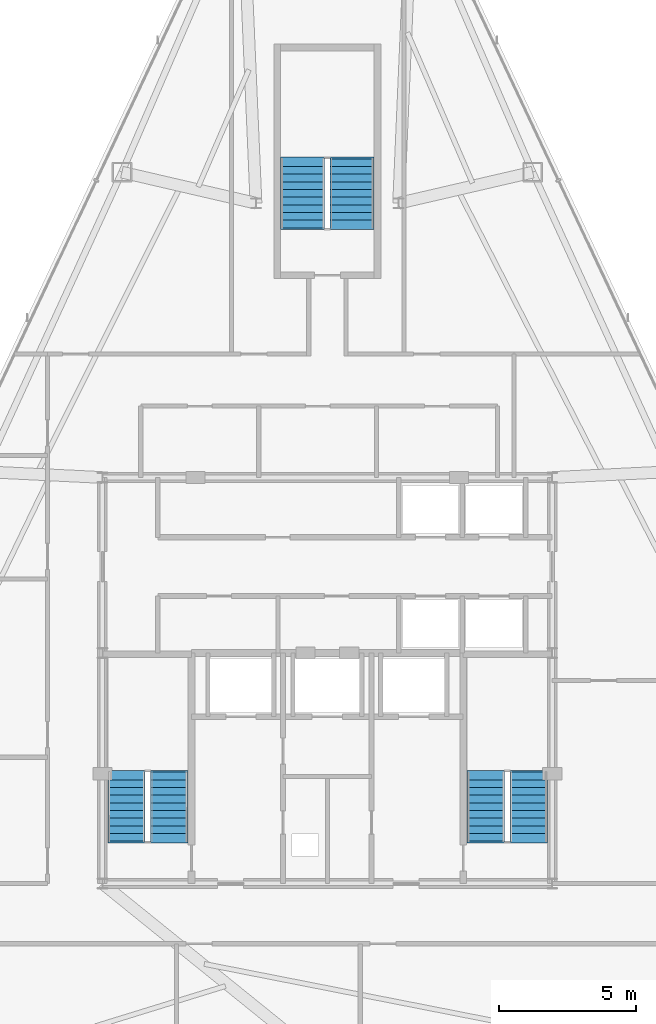
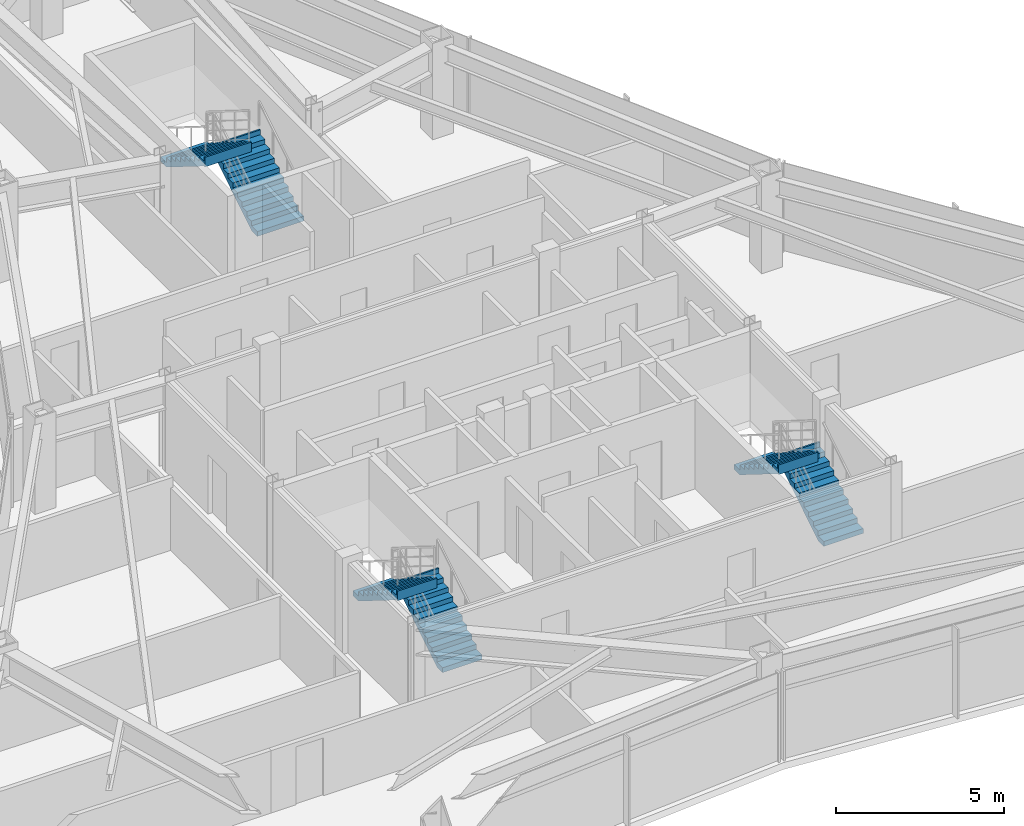
# One storey, part 11 of 12: 6 stair flights, 3 elements without a shape of their own.
"""IFC4 building model written with IfcOpenShell, lengths in metres."""

import ifcopenshell
import ifcopenshell.guid

model = None  # the IFC model being written
_history = None  # IfcOwnerHistory: only IFC2X3 demands one
_inside = {}  # id of a spatial element -> (the spatial element, [elements in it])
_under = {}  # id of a project, library or spatial element -> (it, [spatial elements below it])
_declared = {}  # id of a project -> (the project, [libraries it declares])
_typed = {}  # id of a type object -> (the type object, [elements of that type])
_made_of = {}  # id of a material, layer set ... -> (it, [elements and type objects made of it])


def new_model(schema):
    """Start an empty IFC model of exactly this schema.

    Asked for "IFC4X3", IfcOpenShell would pick the latest addendum, in which some entities
    have other attributes; the version numbers below select the first issue.
    IFC2X3 requires an IfcOwnerHistory on every rooted entity: one is made here for all.
    """
    global model, _history
    if schema == "IFC4X3":
        model = ifcopenshell.file(schema_version=(4, 3, 0, 0))
    else:
        model = ifcopenshell.file(schema=schema)
    _inside.clear()
    _under.clear()
    _declared.clear()
    _typed.clear()
    _made_of.clear()
    _history = None
    if model.schema == "IFC2X3":
        org = make("IfcOrganization", Name="unknown")
        user = make(
            "IfcPersonAndOrganization",
            ThePerson=make("IfcPerson", FamilyName="unknown"),
            TheOrganization=org,
        )
        app = make(
            "IfcApplication",
            ApplicationDeveloper=org,
            Version="unknown",
            ApplicationFullName="unknown",
            ApplicationIdentifier="unknown",
        )
        _history = make(
            "IfcOwnerHistory",
            OwningUser=user,
            OwningApplication=app,
            ChangeAction="ADDED",
            CreationDate=0,
        )
    return model


def make(cls, **values):
    """One entity of the class cls with the attributes given. An attribute that is None is left unset."""
    return model.create_entity(
        cls, **{name: value for name, value in values.items() if value is not None}
    )


def rooted(cls, **values):
    """An entity with a GlobalId (a new one), such as an element, a storey or a relation."""
    return make(cls, GlobalId=ifcopenshell.guid.new(), OwnerHistory=_history, **values)


def si_unit(unit_type, name, prefix=None):
    """IfcSIUnit, for example si_unit("LENGTHUNIT", "METRE", prefix="MILLI")."""
    return make("IfcSIUnit", UnitType=unit_type, Prefix=prefix, Name=name)


def assignment(units):
    """IfcUnitAssignment: the units of a project."""
    return None if units is None else make("IfcUnitAssignment", Units=units)


def point(xyz):
    """IfcCartesianPoint."""
    return None if xyz is None else make("IfcCartesianPoint", Coordinates=xyz)


def direction(xyz):
    """IfcDirection."""
    return None if xyz is None else make("IfcDirection", DirectionRatios=xyz)


def frame(location, z_axis=None, x_axis=None):
    """IfcAxis2Placement3D, a coordinate frame: its origin and axes. An axis left out is left unset."""
    return make(
        "IfcAxis2Placement3D",
        Location=point(location),
        Axis=direction(z_axis),
        RefDirection=direction(x_axis),
    )


def origin():
    """The frame at (0, 0, 0) with its axes left unset."""
    return frame((0.0, 0.0, 0.0))


def place(relative_to, where):
    """IfcLocalPlacement: puts the frame where relative to a parent placement (None: the world)."""
    return make(
        "IfcLocalPlacement", PlacementRelTo=relative_to, RelativePlacement=where
    )


def context(
    kind, dimensions, precision=None, world=None, true_north=None, identifier=None
):
    """IfcGeometricRepresentationContext, for example the 3D "Model" context."""
    return make(
        "IfcGeometricRepresentationContext",
        ContextIdentifier=identifier,
        ContextType=kind,
        CoordinateSpaceDimension=dimensions,
        Precision=precision,
        WorldCoordinateSystem=world,
        TrueNorth=true_north,
    )


def subcontext(parent, identifier, kind, view, scale=None):
    """IfcGeometricRepresentationSubContext, for example "Body" below "Model"."""
    return make(
        "IfcGeometricRepresentationSubContext",
        ContextIdentifier=identifier,
        ContextType=kind,
        ParentContext=parent,
        TargetScale=scale,
        TargetView=view,
    )


def project(units=None, contexts=None):
    """IfcProject with its units and contexts."""
    return rooted(
        "IfcProject",
        Name="project",
        RepresentationContexts=contexts,
        UnitsInContext=assignment(units),
    )


def spatial(cls, under=None, at=None, **own):
    """A site, building, storey or space (cls), placed at a placement, below another one or the project."""
    s = rooted(cls, ObjectPlacement=at, **own)
    if under is not None:
        _under.setdefault(under.id(), (under, []))[1].append(s)
    return s


def polyline(points):
    """IfcPolyline through the points."""
    return make("IfcPolyline", Points=[point(p) for p in points])


def outline(outer, holes=None, kind="AREA"):
    """IfcArbitraryClosedProfileDef: a profile drawn as a closed curve; with holes, ...WithVoids."""
    if holes is None:
        return make("IfcArbitraryClosedProfileDef", ProfileType=kind, OuterCurve=outer)
    return make(
        "IfcArbitraryProfileDefWithVoids",
        ProfileType=kind,
        OuterCurve=outer,
        InnerCurves=holes,
    )


def extrude(swept, where, along, depth):
    """IfcExtrudedAreaSolid: the profile swept, set in the frame where, extruded along a direction by depth."""
    return make(
        "IfcExtrudedAreaSolid",
        SweptArea=swept,
        Position=where,
        ExtrudedDirection=direction(along),
        Depth=depth,
    )


def shape(context_of_items, identifier, shape_type, items):
    """IfcShapeRepresentation: the items that make up one representation, for example the "Body"."""
    return make(
        "IfcShapeRepresentation",
        ContextOfItems=context_of_items,
        RepresentationIdentifier=identifier,
        RepresentationType=shape_type,
        Items=items,
    )


def material(Name=None, Category=None):
    """IfcMaterial."""
    return make("IfcMaterial", Name=Name, Category=Category)


def made_of(thing, what):
    """Note that an element or type object is made of a material, layer set ...; save() writes the relation."""
    if what is not None:
        _made_of.setdefault(what.id(), (what, []))[1].append(thing)
    return thing


def type_object(cls, material=None, **own):
    """A type object (cls), such as IfcWallType, which elements share."""
    return made_of(rooted(cls, **own), material)


def element(
    cls,
    number,
    at=None,
    inside=None,
    cuts=None,
    type_object=None,
    material=None,
    context=None,
    identifier="Body",
    shape_type=None,
    held_by="IfcProductDefinitionShape",
    body=None,
    shapes=None,
    **own,
):
    """One element of the class cls, such as IfcWall. Its Tag is "e" and its number.

    at: its placement. inside: the storey or other place that contains it. cuts: it is an
    opening in that element (IfcRelVoidsElement). A single representation is given by context,
    identifier, shape_type and body (its items); several are given by shapes. held_by: the class
    of the entity that holds the representations. save() writes the other relations.
    """
    e = rooted(cls, Tag="e%d" % number, ObjectPlacement=at, **own)
    if body is not None:
        shapes = [shape(context, identifier, shape_type, body)]
    if shapes is not None:
        e.Representation = make(held_by, Representations=shapes)
    if inside is not None:
        _inside.setdefault(inside.id(), (inside, []))[1].append(e)
    if cuts is not None:
        rooted(
            "IfcRelVoidsElement", RelatingBuildingElement=cuts, RelatedOpeningElement=e
        )
    if type_object is not None:
        _typed.setdefault(type_object.id(), (type_object, []))[1].append(e)
    return made_of(e, material)


def aggregate(whole, parts):
    """IfcRelAggregates: a whole, such as a stair, and the parts it consists of."""
    return rooted("IfcRelAggregates", RelatingObject=whole, RelatedObjects=parts)


def save(model, path):
    """Write the relations noted so far, then the file.

    IfcRelAggregates (storeys below a building ...), IfcRelContainedInSpatialStructure (elements
    in a storey), IfcRelDefinesByType, IfcRelAssociatesMaterial and IfcRelDeclares: one each for
    every whole, place, type object, material and project.
    """
    for whole, parts in _under.values():
        aggregate(whole, parts)
    for where, things in _inside.values():
        rooted(
            "IfcRelContainedInSpatialStructure",
            RelatedElements=things,
            RelatingStructure=where,
        )
    for kind, things in _typed.values():
        rooted("IfcRelDefinesByType", RelatedObjects=things, RelatingType=kind)
    for what, things in _made_of.values():
        rooted("IfcRelAssociatesMaterial", RelatedObjects=things, RelatingMaterial=what)
    for by, libraries in _declared.values():
        rooted("IfcRelDeclares", RelatingContext=by, RelatedDefinitions=libraries)
    model.write(path)


model = new_model("IFC4")

# Units and contexts
model_context = context("Model", 3, precision=1e-05, world=origin(), true_north=direction((0.0, 1.0)))
body_context = subcontext(model_context, "Body", "Model", "MODEL_VIEW")
ifc_project = project(units=[si_unit("LENGTHUNIT", "METRE"), si_unit("AREAUNIT", "SQUARE_METRE"), si_unit("VOLUMEUNIT", "CUBIC_METRE"), si_unit("PLANEANGLEUNIT", "RADIAN"), si_unit("MASSUNIT", "GRAM", prefix="KILO")], contexts=[model_context])

# Site, building, storey
site_placement = place(None, origin())
site = spatial("IfcSite", under=ifc_project, at=site_placement, CompositionType="ELEMENT")
building_placement = place(site_placement, origin())
building = spatial("IfcBuilding", under=site, at=building_placement, Name="Varakhsha Concourse Tower", CompositionType="ELEMENT")
storey_placement = place(building_placement, frame((0.0, 0.0, 232.89990234375)))
storey = spatial("IfcBuildingStorey", under=building, at=storey_placement, Name="L66", CompositionType="ELEMENT", Elevation=232.89990234375)

# Stair, stair flights
ifc_material = material(Name="Concrete fc 45 MPa", Category="concrete")
stair_type_1 = type_object("IfcStairType", Name="ST-DOGLEG-1360", PredefinedType="HALF_TURN_STAIR", material=ifc_material)
stair_1_placement = place(storey_placement, origin())
stair_1 = element("IfcStair", 1, at=stair_1_placement, inside=storey, type_object=stair_type_1, Name="L66 Protected Exit Stair ST1", PredefinedType="HALF_TURN_STAIR")
stair_flight_type_1 = type_object("IfcStairFlightType", Name="STF-1360-R1750", PredefinedType="STRAIGHT", material=ifc_material)
stair_flight_1_placement = place(storey_placement, frame((34.239990234375, 17.93994140625, 0.0), z_axis=(0.0, 0.0, 1.0), x_axis=(0.0, 1.0, 0.0)))
stair_flight_1 = element("IfcStairFlight", 2, at=stair_flight_1_placement, type_object=stair_flight_type_1, Name="ST1 flight 1", NumberOfRisers=10, NumberOfTreads=9, PredefinedType="STRAIGHT", RiserHeight=0.175, TreadLength=0.28, context=body_context, shape_type="SweptSolid", body=[
    extrude(outline(polyline([(-0.06005859375, 0.0), (-0.06005859375, 0.175048828125), (0.0, 0.175048828125), (0.280029296875, 0.175048828125), (0.280029296875, 0.35009765625), (0.56005859375, 0.35009765625), (0.56005859375, 0.52490234375), (0.840087890625, 0.52490234375), (0.840087890625, 0.699951171875), (1.1201171875, 0.699951171875), (1.1201171875, 0.875), (1.39990234375, 0.875), (1.39990234375, 1.050048828125), (1.679931640625, 1.050048828125), (1.679931640625, 1.22509765625), (1.9599609375, 1.22509765625), (1.9599609375, 1.39990234375), (2.239990234375, 1.39990234375), (2.239990234375, 1.574951171875), (2.52001953125, 1.574951171875), (2.52001953125, 1.75), (2.580078125, 1.75), (2.580078125, 1.398193359375), (2.52001953125, 1.398193359375), (0.28271484375, 0.0), (-0.06005859375, 0.0)])), frame((0.0, 0.68017578125, 0.0), z_axis=(0.0, -1.0, 0.0), x_axis=(1.0, 0.0, 0.0)), (0.0, 0.0, 1.0), 1.360107421875),
])
stair_flight_2_placement = place(storey_placement, frame((32.679931640625, 20.4599609375, 1.75), z_axis=(0.0, 0.0, 1.0), x_axis=(0.0, -1.0, 0.0)))
stair_flight_2 = element("IfcStairFlight", 3, at=stair_flight_2_placement, type_object=stair_flight_type_1, Name="ST1 flight 2", NumberOfRisers=10, NumberOfTreads=9, PredefinedType="STRAIGHT", RiserHeight=0.175, TreadLength=0.28, context=body_context, shape_type="SweptSolid", body=[
    extrude(outline(polyline([(-0.06005859375, 0.0), (-0.06005859375, 0.175048828125), (0.0, 0.175048828125), (0.280029296875, 0.175048828125), (0.280029296875, 0.35009765625), (0.56005859375, 0.35009765625), (0.56005859375, 0.52490234375), (0.840087890625, 0.52490234375), (0.840087890625, 0.699951171875), (1.1201171875, 0.699951171875), (1.1201171875, 0.875), (1.39990234375, 0.875), (1.39990234375, 1.050048828125), (1.679931640625, 1.050048828125), (1.679931640625, 1.22509765625), (1.9599609375, 1.22509765625), (1.9599609375, 1.39990234375), (2.239990234375, 1.39990234375), (2.239990234375, 1.574951171875), (2.52001953125, 1.574951171875), (2.52001953125, 1.75), (2.580078125, 1.75), (2.580078125, 1.398193359375), (2.52001953125, 1.398193359375), (0.28271484375, 0.0), (-0.06005859375, 0.0)])), frame((0.0, 0.68017578125, 0.0), z_axis=(0.0, -1.0, 0.0), x_axis=(1.0, 0.0, 0.0)), (0.0, 0.0, 1.0), 1.360107421875),
])
aggregate(stair_1, [stair_flight_1, stair_flight_2])

stair_2_placement = place(storey_placement, origin())
stair_2 = element("IfcStair", 4, at=stair_2_placement, inside=storey, type_object=stair_type_1, Name="L66 Protected Exit Stair ST2", PredefinedType="HALF_TURN_STAIR")
stair_flight_3_placement = place(storey_placement, frame((47.340087890625, 17.93994140625, 0.0), z_axis=(0.0, 0.0, 1.0), x_axis=(0.0, 1.0, 0.0)))
stair_flight_3 = element("IfcStairFlight", 5, at=stair_flight_3_placement, type_object=stair_flight_type_1, Name="ST2 flight 1", NumberOfRisers=10, NumberOfTreads=9, PredefinedType="STRAIGHT", RiserHeight=0.175, TreadLength=0.28, context=body_context, shape_type="SweptSolid", body=[
    extrude(outline(polyline([(-0.06005859375, 0.0), (-0.06005859375, 0.175048828125), (0.0, 0.175048828125), (0.280029296875, 0.175048828125), (0.280029296875, 0.35009765625), (0.56005859375, 0.35009765625), (0.56005859375, 0.52490234375), (0.840087890625, 0.52490234375), (0.840087890625, 0.699951171875), (1.1201171875, 0.699951171875), (1.1201171875, 0.875), (1.39990234375, 0.875), (1.39990234375, 1.050048828125), (1.679931640625, 1.050048828125), (1.679931640625, 1.22509765625), (1.9599609375, 1.22509765625), (1.9599609375, 1.39990234375), (2.239990234375, 1.39990234375), (2.239990234375, 1.574951171875), (2.52001953125, 1.574951171875), (2.52001953125, 1.75), (2.580078125, 1.75), (2.580078125, 1.398193359375), (2.52001953125, 1.398193359375), (0.28271484375, 0.0), (-0.06005859375, 0.0)])), frame((0.0, 0.68017578125, 0.0), z_axis=(0.0, -1.0, 0.0), x_axis=(1.0, 0.0, 0.0)), (0.0, 0.0, 1.0), 1.360107421875),
])
stair_flight_4_placement = place(storey_placement, frame((45.780029296875, 20.4599609375, 1.75), z_axis=(0.0, 0.0, 1.0), x_axis=(0.0, -1.0, 0.0)))
stair_flight_4 = element("IfcStairFlight", 6, at=stair_flight_4_placement, type_object=stair_flight_type_1, Name="ST2 flight 2", NumberOfRisers=10, NumberOfTreads=9, PredefinedType="STRAIGHT", RiserHeight=0.175, TreadLength=0.28, context=body_context, shape_type="SweptSolid", body=[
    extrude(outline(polyline([(-0.06005859375, 0.0), (-0.06005859375, 0.175048828125), (0.0, 0.175048828125), (0.280029296875, 0.175048828125), (0.280029296875, 0.35009765625), (0.56005859375, 0.35009765625), (0.56005859375, 0.52490234375), (0.840087890625, 0.52490234375), (0.840087890625, 0.699951171875), (1.1201171875, 0.699951171875), (1.1201171875, 0.875), (1.39990234375, 0.875), (1.39990234375, 1.050048828125), (1.679931640625, 1.050048828125), (1.679931640625, 1.22509765625), (1.9599609375, 1.22509765625), (1.9599609375, 1.39990234375), (2.239990234375, 1.39990234375), (2.239990234375, 1.574951171875), (2.52001953125, 1.574951171875), (2.52001953125, 1.75), (2.580078125, 1.75), (2.580078125, 1.398193359375), (2.52001953125, 1.398193359375), (0.28271484375, 0.0), (-0.06005859375, 0.0)])), frame((0.0, 0.68017578125, 0.0), z_axis=(0.0, -1.0, 0.0), x_axis=(1.0, 0.0, 0.0)), (0.0, 0.0, 1.0), 1.360107421875),
])
aggregate(stair_2, [stair_flight_3, stair_flight_4])

stair_type_2 = type_object("IfcStairType", Name="ST-DOGLEG-1600", PredefinedType="HALF_TURN_STAIR", material=ifc_material)
stair_3_placement = place(storey_placement, origin())
stair_3 = element("IfcStair", 7, at=stair_3_placement, inside=storey, type_object=stair_type_2, Name="L66 Protected Exit Stair ST5", PredefinedType="HALF_TURN_STAIR")
stair_flight_type_2 = type_object("IfcStairFlightType", Name="STF-1600-R1750", PredefinedType="STRAIGHT", material=ifc_material)
stair_flight_5_placement = place(storey_placement, frame((40.89990234375, 40.300048828125, 0.0), z_axis=(0.0, 0.0, 1.0), x_axis=(0.0, 1.0, 0.0)))
stair_flight_5 = element("IfcStairFlight", 8, at=stair_flight_5_placement, type_object=stair_flight_type_2, Name="ST5 flight 1", NumberOfRisers=10, NumberOfTreads=9, PredefinedType="STRAIGHT", RiserHeight=0.175, TreadLength=0.28, context=body_context, shape_type="SweptSolid", body=[
    extrude(outline(polyline([(-0.06005859375, 0.0), (-0.06005859375, 0.175048828125), (0.0, 0.175048828125), (0.280029296875, 0.175048828125), (0.280029296875, 0.35009765625), (0.56005859375, 0.35009765625), (0.56005859375, 0.52490234375), (0.840087890625, 0.52490234375), (0.840087890625, 0.699951171875), (1.1201171875, 0.699951171875), (1.1201171875, 0.875), (1.39990234375, 0.875), (1.39990234375, 1.050048828125), (1.679931640625, 1.050048828125), (1.679931640625, 1.22509765625), (1.9599609375, 1.22509765625), (1.9599609375, 1.39990234375), (2.239990234375, 1.39990234375), (2.239990234375, 1.574951171875), (2.52001953125, 1.574951171875), (2.52001953125, 1.75), (2.580078125, 1.75), (2.580078125, 1.398193359375), (2.52001953125, 1.398193359375), (0.28271484375, 0.0), (-0.06005859375, 0.0)])), frame((0.0, 0.800048828125, 0.0), z_axis=(0.0, -1.0, 0.0), x_axis=(1.0, 0.0, 0.0)), (0.0, 0.0, 1.0), 1.60009765625),
])
stair_flight_6_placement = place(storey_placement, frame((39.10009765625, 42.820068359375, 1.75), z_axis=(0.0, 0.0, 1.0), x_axis=(0.0, -1.0, 0.0)))
stair_flight_6 = element("IfcStairFlight", 9, at=stair_flight_6_placement, type_object=stair_flight_type_2, Name="ST5 flight 2", NumberOfRisers=10, NumberOfTreads=9, PredefinedType="STRAIGHT", RiserHeight=0.175, TreadLength=0.28, context=body_context, shape_type="SweptSolid", body=[
    extrude(outline(polyline([(-0.06005859375, 0.0), (-0.06005859375, 0.175048828125), (0.0, 0.175048828125), (0.280029296875, 0.175048828125), (0.280029296875, 0.35009765625), (0.56005859375, 0.35009765625), (0.56005859375, 0.52490234375), (0.840087890625, 0.52490234375), (0.840087890625, 0.699951171875), (1.1201171875, 0.699951171875), (1.1201171875, 0.875), (1.39990234375, 0.875), (1.39990234375, 1.050048828125), (1.679931640625, 1.050048828125), (1.679931640625, 1.22509765625), (1.9599609375, 1.22509765625), (1.9599609375, 1.39990234375), (2.239990234375, 1.39990234375), (2.239990234375, 1.574951171875), (2.52001953125, 1.574951171875), (2.52001953125, 1.75), (2.580078125, 1.75), (2.580078125, 1.398193359375), (2.52001953125, 1.398193359375), (0.28271484375, 0.0), (-0.06005859375, 0.0)])), frame((0.0, 0.800048828125, 0.0), z_axis=(0.0, -1.0, 0.0), x_axis=(1.0, 0.0, 0.0)), (0.0, 0.0, 1.0), 1.60009765625),
])
aggregate(stair_3, [stair_flight_5, stair_flight_6])

save(model, "model.ifc")
